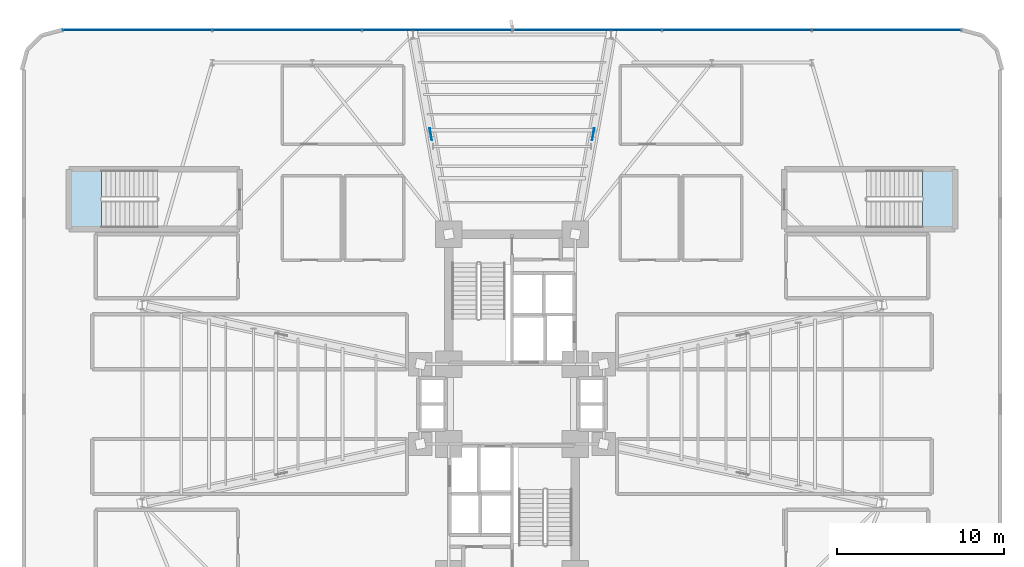
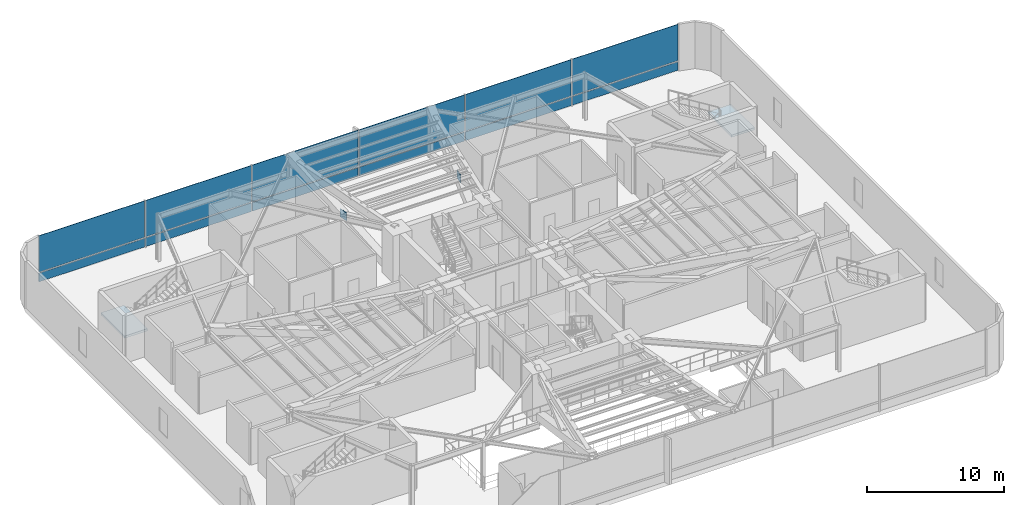
# One storey, part 21 of 32: 14 plates, 2 slabs, 3 elements without a shape of their own.
"""IFC4 building model written with IfcOpenShell, lengths in metres."""

from ifc_helpers import new_model, si_unit, direction, frame, origin, origin_2d, place, context, subcontext, project, spatial, polyline, rectangle, outline, extrude, source, transform, mapped, material, layer, layer_set, type_object, element, aggregate, save


model = new_model("IFC4")

# Units and contexts
model_context = context("Model", 3, precision=1e-05, world=origin(), true_north=direction((0.0, 1.0)))
body_context = subcontext(model_context, "Body", "Model", "MODEL_VIEW")
ifc_project = project(units=[si_unit("LENGTHUNIT", "METRE"), si_unit("AREAUNIT", "SQUARE_METRE"), si_unit("VOLUMEUNIT", "CUBIC_METRE"), si_unit("PLANEANGLEUNIT", "RADIAN"), si_unit("MASSUNIT", "GRAM", prefix="KILO")], contexts=[model_context])

# Site, building, storey
site_placement = place(None, origin())
site = spatial("IfcSite", under=ifc_project, at=site_placement, CompositionType="ELEMENT")
building_placement = place(site_placement, origin())
building = spatial("IfcBuilding", under=site, at=building_placement, Name="Sahyath Konkavel Grand Hotel", CompositionType="ELEMENT")
storey_placement = place(building_placement, frame((0.0, 0.0, 14.10009765625)))
storey = spatial("IfcBuildingStorey", under=building, at=storey_placement, Name="L03", CompositionType="ELEMENT", Elevation=14.10009765625)

# Stair, slab
ifc_material_1 = material(Name="Concrete C40/50", Category="concrete")
stair_type = type_object("IfcStairType", Name="STR-ST16-450", PredefinedType="HALF_TURN_STAIR", material=ifc_material_1)
stair_1_placement = place(storey_placement, origin())
stair_1 = element("IfcStair", 1, at=stair_1_placement, inside=storey, type_object=stair_type, Name="L03 Podium Protected Exit Stair ST-P1", PredefinedType="HALF_TURN_STAIR")
ifc_layer_1 = layer(ifc_material_1, 0.199951171875)
ifc_layer_set_1 = layer_set([ifc_layer_1], Name="Concrete C40/50")
slab_type = type_object("IfcSlabType", Name="SLB-STAIR-LND", PredefinedType="LANDING", material=ifc_layer_set_1)
slab_1_placement = place(storey_placement, frame((0.0, 0.0, 2.0498046875)))
slab_1 = element("IfcSlab", 2, at=slab_1_placement, type_object=slab_type, Name="ST-P1 landing 1", PredefinedType="LANDING", context=body_context, shape_type="SweptSolid", body=[
    extrude(outline(polyline([(-24.64990234375, 14.0400390625), (-26.580078125, 14.0400390625), (-26.580078125, 10.580078125), (-24.64990234375, 10.580078125), (-24.64990234375, 14.0400390625)])), origin(), (0.0, 0.0, 1.0), 0.2001953125),
])
aggregate(stair_1, [slab_1])

stair_2_placement = place(storey_placement, origin())
stair_2 = element("IfcStair", 3, at=stair_2_placement, inside=storey, type_object=stair_type, Name="L03 Podium Protected Exit Stair ST-P2", PredefinedType="HALF_TURN_STAIR")
slab_2_placement = place(storey_placement, frame((0.0, 0.0, 2.0498046875)))
slab_2 = element("IfcSlab", 4, at=slab_2_placement, type_object=slab_type, Name="ST-P2 landing 1", PredefinedType="LANDING", context=body_context, shape_type="SweptSolid", body=[
    extrude(outline(polyline([(24.64990234375, 10.580078125), (26.580078125, 10.580078125), (26.580078125, 14.0400390625), (24.64990234375, 14.0400390625), (24.64990234375, 10.580078125)])), origin(), (0.0, 0.0, 1.0), 0.2001953125),
])
aggregate(stair_2, [slab_2])

# Plates
ifc_material_2 = material(Name="Steel E450", Category="steel")
plate_type_1 = type_object("IfcPlateType", Name="GUSSET-NODE-40", PredefinedType="USERDEFINED", material=ifc_material_2)
shared_shape_1 = source(origin(), body_context, "Body", "SweptSolid", [
    extrude(rectangle(XDim=0.719970703125, YDim=0.0400390625, at=origin_2d()), origin(), (0.0, 0.0, 1.0), 0.719970703125),
])
for number, where, z_axis, x_axis, name in (
    (5, (4.875, 16.199951171875, 1.72998046875), (0.0, 0.0, 1.0), (0.176363239745, 0.984325153426, 0.0), "L03 Ballroom Steel Transfer Truss NA X-Crossing Node Gusset Plate"),
    (6, (-4.875, 16.199951171875, 1.72998046875), (0.0, 0.0, 1.0), (-0.176363239745, 0.984325153426, 0.0), "L03 Ballroom Steel Transfer Truss NB X-Crossing Node Gusset Plate"),
):
    element("IfcPlate", number, at=place(storey_placement, frame(where, z_axis=z_axis, x_axis=x_axis)), inside=storey, type_object=plate_type_1, Name=name, ObjectType="GUSSET_PLATE", PredefinedType="USERDEFINED", context=body_context, shape_type="MappedRepresentation", body=[
        mapped(shared_shape_1, transform((0.0, 0.0, 0.0), scale=1.0)),
    ])

# Curtain wall, plates
ifc_material_3 = material(Name="Anodised Bronze Aluminium & Low-E Glazing", Category="aluminium")
curtain_wall_type = type_object("IfcCurtainWallType", Name="CW-PODIUM", PredefinedType="NOTDEFINED", material=ifc_material_3)
curtain_wall_placement = place(storey_placement, origin())
curtain_wall = element("IfcCurtainWall", 7, at=curtain_wall_placement, inside=storey, type_object=curtain_wall_type, Name="L03 Unitised Curtain Wall N", PredefinedType="NOTDEFINED")
ifc_material_4 = material(Name="Warm Buff Sandstone Cladding", Category="masonry")
ifc_layer_2 = layer(ifc_material_4, 0.074951171875)
ifc_layer_set_2 = layer_set([ifc_layer_2], Name="Warm Buff Sandstone Cladding")
plate_type_2 = type_object("IfcPlateType", Name="PNL-SPANDREL-STONE", PredefinedType="SHEET", material=ifc_layer_set_2)
shared_shape_2 = source(origin(), body_context, "Body", "SweptSolid", [
    extrude(rectangle(XDim=8.918701171875, YDim=0.074951171875, at=origin_2d()), origin(), (0.0, 0.0, 1.0), 0.77001953125),
])
plate_1_placement = place(storey_placement, frame((22.49658203125, 22.465087890625, 0.039794921875), z_axis=(0.0, 0.0, 1.0), x_axis=(-1.0, 0.0, 0.0)))
plate_1 = element("IfcPlate", 8, at=plate_1_placement, type_object=plate_type_2, Name="L03 Sandstone Relief Spandrel Panel N-0", PredefinedType="SHEET", context=body_context, shape_type="MappedRepresentation", body=[
    mapped(shared_shape_2, transform((0.0, 0.0, 0.0), scale=1.0)),
])
plate_2_placement = place(storey_placement, frame((13.498046875, 22.465087890625, 0.039794921875), z_axis=(0.0, 0.0, 1.0), x_axis=(-1.0, 0.0, 0.0)))
plate_2 = element("IfcPlate", 9, at=plate_2_placement, type_object=plate_type_2, Name="L03 Sandstone Relief Spandrel Panel N-1", PredefinedType="SHEET", context=body_context, shape_type="MappedRepresentation", body=[
    mapped(shared_shape_2, transform((0.0, 0.0, 0.0), scale=1.0)),
])
plate_3_placement = place(storey_placement, frame((4.499267578125, 22.465087890625, 0.039794921875), z_axis=(0.0, 0.0, 1.0), x_axis=(-1.0, 0.0, 0.0)))
plate_3 = element("IfcPlate", 10, at=plate_3_placement, type_object=plate_type_2, Name="L03 Sandstone Relief Spandrel Panel N-2", PredefinedType="SHEET", context=body_context, shape_type="MappedRepresentation", body=[
    mapped(shared_shape_2, transform((0.0, 0.0, 0.0), scale=1.0)),
])
plate_4_placement = place(storey_placement, frame((-4.499267578125, 22.465087890625, 0.039794921875), z_axis=(0.0, 0.0, 1.0), x_axis=(-1.0, 0.0, 0.0)))
plate_4 = element("IfcPlate", 11, at=plate_4_placement, type_object=plate_type_2, Name="L03 Sandstone Relief Spandrel Panel N-3", PredefinedType="SHEET", context=body_context, shape_type="MappedRepresentation", body=[
    mapped(shared_shape_2, transform((0.0, 0.0, 0.0), scale=1.0)),
])
plate_5_placement = place(storey_placement, frame((-13.498046875, 22.465087890625, 0.039794921875), z_axis=(0.0, 0.0, 1.0), x_axis=(-1.0, 0.0, 0.0)))
plate_5 = element("IfcPlate", 12, at=plate_5_placement, type_object=plate_type_2, Name="L03 Sandstone Relief Spandrel Panel N-4", PredefinedType="SHEET", context=body_context, shape_type="MappedRepresentation", body=[
    mapped(shared_shape_2, transform((0.0, 0.0, 0.0), scale=1.0)),
])
plate_6_placement = place(storey_placement, frame((-22.49658203125, 22.465087890625, 0.039794921875), z_axis=(0.0, 0.0, 1.0), x_axis=(-1.0, 0.0, 0.0)))
plate_6 = element("IfcPlate", 13, at=plate_6_placement, type_object=plate_type_2, Name="L03 Sandstone Relief Spandrel Panel N-5", PredefinedType="SHEET", context=body_context, shape_type="MappedRepresentation", body=[
    mapped(shared_shape_2, transform((0.0, 0.0, 0.0), scale=1.0)),
])
ifc_material_5 = material(Name="Low-E Solar Control Double Glazing", Category="glass")
ifc_layer_3 = layer(ifc_material_5, 0.035888671875)
ifc_layer_set_3 = layer_set([ifc_layer_3], Name="Low-E Solar Control Double Glazing")
plate_type_3 = type_object("IfcPlateType", Name="PNL-VISION-LOWE", PredefinedType="CURTAIN_PANEL", material=ifc_layer_set_3)
shared_shape_3 = source(origin(), body_context, "Body", "SweptSolid", [
    extrude(rectangle(XDim=8.918701171875, YDim=0.035888671875, at=origin_2d()), origin(), (0.0, 0.0, 1.0), 3.25),
])
plate_7_placement = place(storey_placement, frame((22.49658203125, 22.465087890625, 0.889892578125), z_axis=(0.0, 0.0, 1.0), x_axis=(-1.0, 0.0, 0.0)))
plate_7 = element("IfcPlate", 14, at=plate_7_placement, type_object=plate_type_3, Name="L03 Low-E Vision Glazing Panel N-0", PredefinedType="CURTAIN_PANEL", context=body_context, shape_type="MappedRepresentation", body=[
    mapped(shared_shape_3, transform((0.0, 0.0, 0.0), scale=1.0)),
])
plate_8_placement = place(storey_placement, frame((13.498046875, 22.465087890625, 0.889892578125), z_axis=(0.0, 0.0, 1.0), x_axis=(-1.0, 0.0, 0.0)))
plate_8 = element("IfcPlate", 15, at=plate_8_placement, type_object=plate_type_3, Name="L03 Low-E Vision Glazing Panel N-1", PredefinedType="CURTAIN_PANEL", context=body_context, shape_type="MappedRepresentation", body=[
    mapped(shared_shape_3, transform((0.0, 0.0, 0.0), scale=1.0)),
])
plate_9_placement = place(storey_placement, frame((4.499267578125, 22.465087890625, 0.889892578125), z_axis=(0.0, 0.0, 1.0), x_axis=(-1.0, 0.0, 0.0)))
plate_9 = element("IfcPlate", 16, at=plate_9_placement, type_object=plate_type_3, Name="L03 Low-E Vision Glazing Panel N-2", PredefinedType="CURTAIN_PANEL", context=body_context, shape_type="MappedRepresentation", body=[
    mapped(shared_shape_3, transform((0.0, 0.0, 0.0), scale=1.0)),
])
plate_10_placement = place(storey_placement, frame((-4.499267578125, 22.465087890625, 0.889892578125), z_axis=(0.0, 0.0, 1.0), x_axis=(-1.0, 0.0, 0.0)))
plate_10 = element("IfcPlate", 17, at=plate_10_placement, type_object=plate_type_3, Name="L03 Low-E Vision Glazing Panel N-3", PredefinedType="CURTAIN_PANEL", context=body_context, shape_type="MappedRepresentation", body=[
    mapped(shared_shape_3, transform((0.0, 0.0, 0.0), scale=1.0)),
])
plate_11_placement = place(storey_placement, frame((-13.498046875, 22.465087890625, 0.889892578125), z_axis=(0.0, 0.0, 1.0), x_axis=(-1.0, 0.0, 0.0)))
plate_11 = element("IfcPlate", 18, at=plate_11_placement, type_object=plate_type_3, Name="L03 Low-E Vision Glazing Panel N-4", PredefinedType="CURTAIN_PANEL", context=body_context, shape_type="MappedRepresentation", body=[
    mapped(shared_shape_3, transform((0.0, 0.0, 0.0), scale=1.0)),
])
plate_12_placement = place(storey_placement, frame((-22.49658203125, 22.465087890625, 0.889892578125), z_axis=(0.0, 0.0, 1.0), x_axis=(-1.0, 0.0, 0.0)))
plate_12 = element("IfcPlate", 19, at=plate_12_placement, type_object=plate_type_3, Name="L03 Low-E Vision Glazing Panel N-5", PredefinedType="CURTAIN_PANEL", context=body_context, shape_type="MappedRepresentation", body=[
    mapped(shared_shape_3, transform((0.0, 0.0, 0.0), scale=1.0)),
])
aggregate(curtain_wall, [plate_1, plate_7, plate_2, plate_8, plate_3, plate_9, plate_4, plate_10, plate_5, plate_11, plate_6, plate_12])

save(model, "model.ifc")
